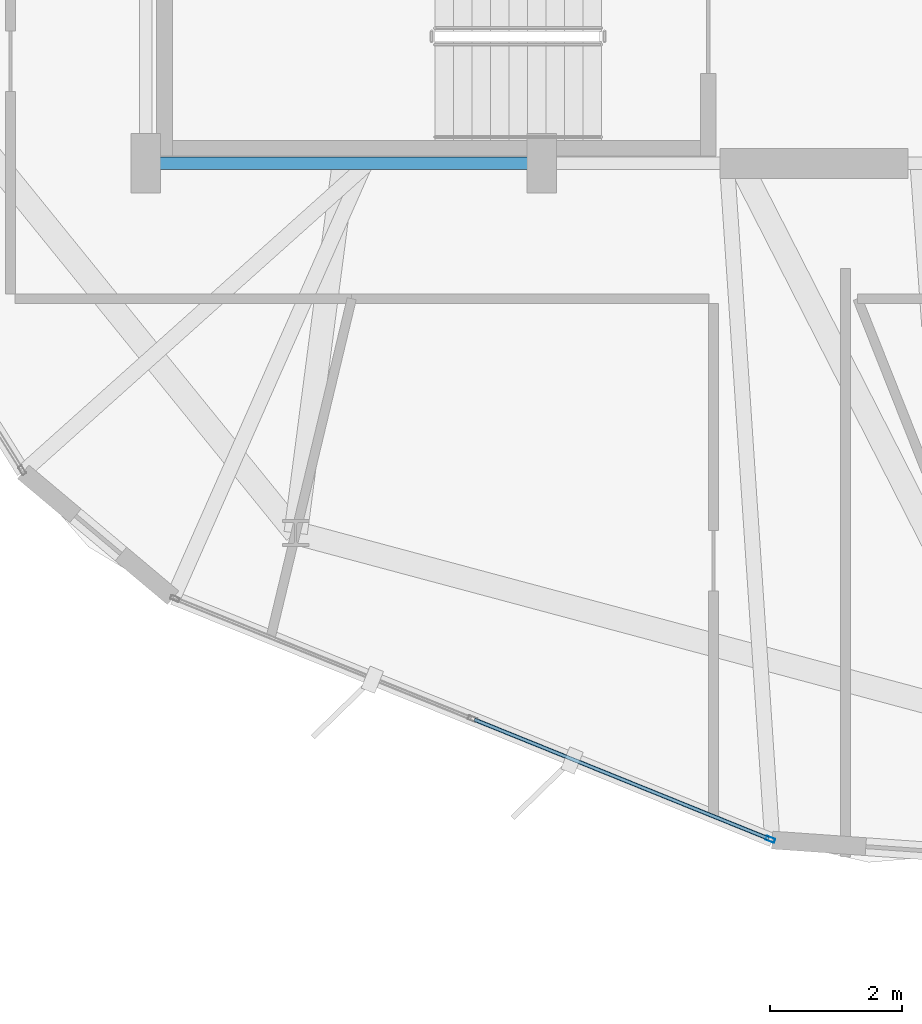
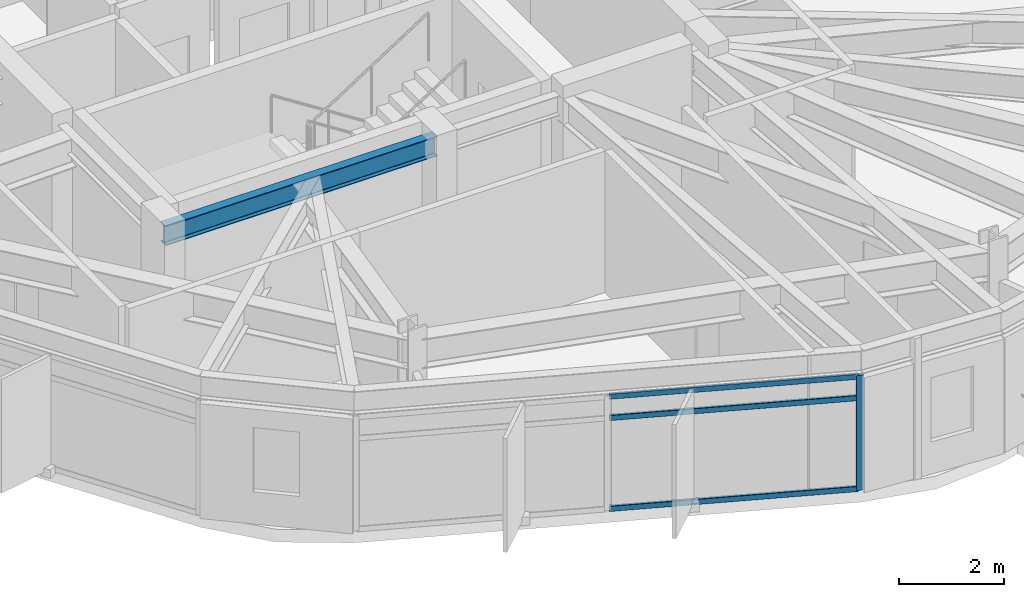
# One storey, part 4 of 23: 4 members, 1 beam, 1 element without a shape of its own.
"""IFC4 building model written with IfcOpenShell, lengths in metres."""

from ifc_helpers import new_model, si_unit, direction, frame, origin, origin_2d, place, context, subcontext, project, spatial, hollow_rectangle, i_section, extrude, material, layer, layer_set, material_profile, profile_set, type_object, element, aggregate, save


model = new_model("IFC4")

# Units and contexts
model_context = context("Model", 3, precision=1e-05, world=origin(), true_north=direction((0.0, 1.0)))
body_context = subcontext(model_context, "Body", "Model", "MODEL_VIEW")
ifc_project = project(units=[si_unit("LENGTHUNIT", "METRE"), si_unit("AREAUNIT", "SQUARE_METRE"), si_unit("VOLUMEUNIT", "CUBIC_METRE"), si_unit("PLANEANGLEUNIT", "RADIAN"), si_unit("MASSUNIT", "GRAM", prefix="KILO")], contexts=[model_context])

# Site, building, storey
site_placement = place(None, origin())
site = spatial("IfcSite", under=ifc_project, at=site_placement, CompositionType="ELEMENT")
building_placement = place(site_placement, origin())
building = spatial("IfcBuilding", under=site, at=building_placement, Name="Soratama Intermodal Tower", CompositionType="ELEMENT")
storey_placement = place(building_placement, frame((0.0, 0.0, 215.800048828125)))
storey = spatial("IfcBuildingStorey", under=building, at=storey_placement, Name="L54", CompositionType="ELEMENT", Elevation=215.800048828125)

# Beam
ifc_material_1 = material(Name="Structural steel ASTM A992 Grade 50", Category="steel")
ifc_material_profile_1 = material_profile(ifc_material_1, i_section(OverallWidth=0.19091796875, OverallDepth=0.4599609375, WebThickness=0.010009765625, FlangeThickness=0.01611328125, FilletRadius=0.010986328125, at=origin_2d()), Name="W18X55")
ifc_profile_set_1 = profile_set([ifc_material_profile_1], Name="Structural steel ASTM A992 Grade 50")
beam_type = type_object("IfcBeamType", Name="BM-FLR-W18X55", PredefinedType="BEAM", material=ifc_profile_set_1)
beam_placement = place(storey_placement, frame((32.60009765625, 15.0, 3.070068359375), z_axis=(1.0, 0.0, 0.0), x_axis=(0.0, 1.0, 0.0)))
element("IfcBeam", 1, at=beam_placement, inside=storey, type_object=beam_type, Name="BM-L54-CRING-01", PredefinedType="BEAM", context=body_context, shape_type="SweptSolid", body=[
    extrude(i_section(OverallWidth=0.19091796875, OverallDepth=0.4599609375, WebThickness=0.010009765625, FlangeThickness=0.01611328125, FilletRadius=0.010986328125, at=origin_2d()), origin(), (0.0, 0.0, 1.0), 6.0),
])

# Curtain wall, members
ifc_material_2 = material(Name="Double-glazed aluminium curtain wall", Category="aluminium")
ifc_layer = layer(ifc_material_2, 0.159912109375)
ifc_layer_set = layer_set([ifc_layer], Name="Double-glazed aluminium curtain wall")
curtain_wall_type = type_object("IfcCurtainWallType", Name="CW-SYS-5", PredefinedType="NOTDEFINED", material=ifc_layer_set)
curtain_wall_placement = place(storey_placement, origin())
curtain_wall = element("IfcCurtainWall", 2, at=curtain_wall_placement, inside=storey, type_object=curtain_wall_type, Name="L54 Faceted Curtain Wall F06", PredefinedType="NOTDEFINED")
ifc_material_3 = material(Name="Anodised aluminium AA 6063-T6", Category="aluminium")
ifc_material_profile_2 = material_profile(ifc_material_3, hollow_rectangle(XDim=0.06494140625, YDim=0.139892578125, WallThickness=0.0048828125, InnerFilletRadius=0.0048828125, OuterFilletRadius=0.010009765625, at=origin_2d()), Name="CWM140X65X5")
ifc_profile_set_2 = profile_set([ifc_material_profile_2], Name="Anodised aluminium AA 6063-T6")
member_type_1 = type_object("IfcMemberType", Name="MT-CWM-5", PredefinedType="MULLION", material=ifc_profile_set_2)
member_1_placement = place(storey_placement, frame((42.06201171875, 4.759033203125, 0.0), z_axis=(0.0, 0.0, 1.0), x_axis=(0.374934682302, 0.927051230519, 0.0)))
member_1 = element("IfcMember", 3, at=member_1_placement, type_object=member_type_1, Name="CW-5 mullion 3", PredefinedType="MULLION", context=body_context, shape_type="SweptSolid", body=[
    extrude(hollow_rectangle(XDim=0.06494140625, YDim=0.139892578125, WallThickness=0.0048828125, InnerFilletRadius=0.0048828125, OuterFilletRadius=0.010009765625, at=origin_2d()), origin(), (0.0, 0.0, 1.0), 2.678955078125),
])
ifc_material_4 = material(Name="Anodised aluminium AA 6063-T6", Category="aluminium")
ifc_material_profile_3 = material_profile(ifc_material_4, hollow_rectangle(XDim=0.06005859375, YDim=0.1298828125, WallThickness=0.0048828125, InnerFilletRadius=0.0048828125, OuterFilletRadius=0.010009765625, at=origin_2d()), Name="CWT130X60X5")
ifc_profile_set_3 = profile_set([ifc_material_profile_3], Name="Anodised aluminium AA 6063-T6")
member_type_2 = type_object("IfcMemberType", Name="TT-CWT-2", PredefinedType="USERDEFINED", material=ifc_profile_set_3)
member_2_placement = place(storey_placement, frame((37.579345703125, 6.572021484375, 0.030029296875), z_axis=(0.92704732675, -0.374944334489, 0.0), x_axis=(0.374944334489, 0.92704732675, 0.0)))
member_2 = element("IfcMember", 4, at=member_2_placement, type_object=member_type_2, Name="CW-5 transom 2.1", ObjectType="TRANSOM", PredefinedType="USERDEFINED", context=body_context, shape_type="SweptSolid", body=[
    extrude(hollow_rectangle(XDim=0.06005859375, YDim=0.1298828125, WallThickness=0.0048828125, InnerFilletRadius=0.0048828125, OuterFilletRadius=0.010009765625, at=origin_2d()), origin(), (0.0, 0.0, 1.0), 4.805419921875),
])
member_3_placement = place(storey_placement, frame((37.579345703125, 6.572021484375, 2.14990234375), z_axis=(0.92704732675, -0.374944334489, 0.0), x_axis=(0.374944334489, 0.92704732675, 0.0)))
member_3 = element("IfcMember", 5, at=member_3_placement, type_object=member_type_2, Name="CW-5 transom 2.2", ObjectType="TRANSOM", PredefinedType="USERDEFINED", context=body_context, shape_type="SweptSolid", body=[
    extrude(hollow_rectangle(XDim=0.06005859375, YDim=0.1298828125, WallThickness=0.0048828125, InnerFilletRadius=0.0048828125, OuterFilletRadius=0.010009765625, at=origin_2d()), origin(), (0.0, 0.0, 1.0), 4.805419921875),
])
member_4_placement = place(storey_placement, frame((37.579345703125, 6.572021484375, 2.64892578125), z_axis=(0.92704732675, -0.374944334489, 0.0), x_axis=(0.374944334489, 0.92704732675, 0.0)))
member_4 = element("IfcMember", 6, at=member_4_placement, type_object=member_type_2, Name="CW-5 transom 2.3", ObjectType="TRANSOM", PredefinedType="USERDEFINED", context=body_context, shape_type="SweptSolid", body=[
    extrude(hollow_rectangle(XDim=0.06005859375, YDim=0.1298828125, WallThickness=0.0048828125, InnerFilletRadius=0.0048828125, OuterFilletRadius=0.010009765625, at=origin_2d()), origin(), (0.0, 0.0, 1.0), 4.805419921875),
])
aggregate(curtain_wall, [member_1, member_2, member_3, member_4])

save(model, "model.ifc")
